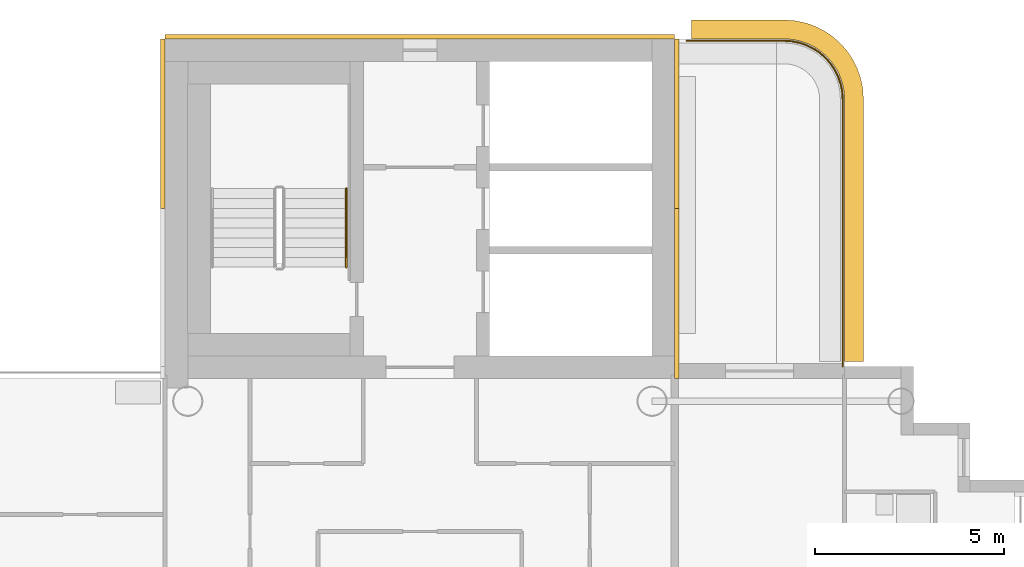
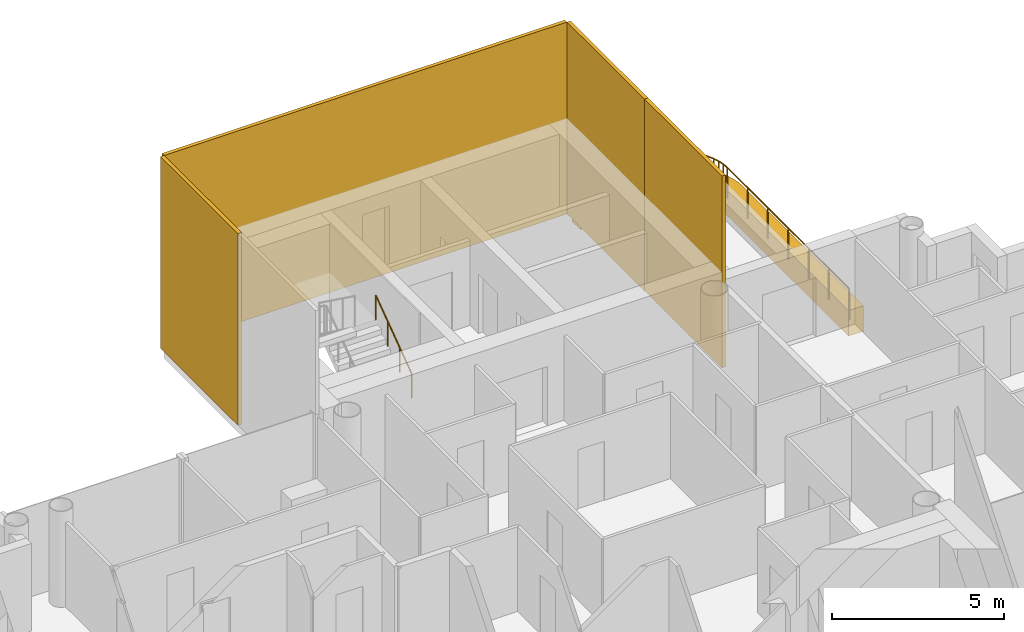
# One storey, part 17 of 18: 5 coverings, 2 railings.
"""IFC4 building model written with IfcOpenShell, lengths in metres."""

from ifc_helpers import new_model, si_unit, direction, frame, origin, origin_2d, place, context, subcontext, project, spatial, polyline, rectangle, circle, outline, extrude, material, layer, layer_set, type_object, element, save


model = new_model("IFC4")

# Units and contexts
model_context = context("Model", 3, precision=1e-05, world=origin(), true_north=direction((0.0, 1.0)))
body_context = subcontext(model_context, "Body", "Model", "MODEL_VIEW")
ifc_project = project(units=[si_unit("LENGTHUNIT", "METRE"), si_unit("AREAUNIT", "SQUARE_METRE"), si_unit("VOLUMEUNIT", "CUBIC_METRE"), si_unit("PLANEANGLEUNIT", "RADIAN"), si_unit("MASSUNIT", "GRAM", prefix="KILO")], contexts=[model_context])

# Site, building, storey
site_placement = place(None, origin())
site = spatial("IfcSite", under=ifc_project, at=site_placement, CompositionType="ELEMENT")
building_placement = place(site_placement, origin())
building = spatial("IfcBuilding", under=site, at=building_placement, Name="Ipe Terrace Towers", CompositionType="ELEMENT")
storey_placement = place(building_placement, frame((0.0, 0.0, 192.60009765625)))
storey = spatial("IfcBuildingStorey", under=building, at=storey_placement, Name="L53", CompositionType="ELEMENT", Elevation=192.60009765625)

# Railing
ifc_material_1 = material(Name="Stainless steel S316", Category="steel")
railing_type_1 = type_object("IfcRailingType", Name="GUARD 1100", PredefinedType="BALUSTRADE", material=ifc_material_1)
railing_1_placement = place(storey_placement, frame((47.199951171875, 7.070068359375, -0.02001953125)))
element("IfcRailing", 1, at=railing_1_placement, inside=storey, type_object=railing_type_1, Name="guard", PredefinedType="BALUSTRADE", context=body_context, shape_type="SweptSolid", body=[
    extrude(circle(Radius=0.02392578125, at=origin_2d()), frame((0.0, 0.0, 1.076171875), z_axis=(0.0, 1.0, 0.0), x_axis=(-1.0, 0.0, 0.0)), (0.0, 0.0, 1.0), 7.077880859375),
    extrude(circle(Radius=0.02392578125, at=origin_2d()), frame((0.0, 7.077880859375, 1.076171875), z_axis=(-0.063270109204, 0.997996439513, 0.0), x_axis=(-0.997996439513, -0.063270109204, 0.0)), (0.0, 0.0, 1.0), 0.20458984375),
    extrude(circle(Radius=0.02392578125, at=origin_2d()), frame((-0.012939453125, 7.281982421875, 1.076171875), z_axis=(-0.197272615832, 0.980348670139, 0.0), x_axis=(-0.980348670139, -0.197272615832, 0.0)), (0.0, 0.0, 1.0), 0.202880859375),
    extrude(circle(Radius=0.02392578125, at=origin_2d()), frame((-0.052978515625, 7.48095703125, 1.076171875), z_axis=(-0.320562904618, 0.947227229435, 0.0), x_axis=(-0.947227229435, -0.320562904618, 0.0)), (0.0, 0.0, 1.0), 0.20263671875),
    extrude(circle(Radius=0.02392578125, at=origin_2d()), frame((-0.117919921875, 7.6728515625, 1.076171875), z_axis=(-0.443364567466, 0.896341374877, 0.0), x_axis=(-0.896341374877, -0.443364567466, 0.0)), (0.0, 0.0, 1.0), 0.203125),
    extrude(circle(Radius=0.02392578125, at=origin_2d()), frame((-0.2080078125, 7.85498046875, 1.076171875), z_axis=(-0.552753344103, 0.833344910936, 0.0), x_axis=(-0.833344910936, -0.552753344103, 0.0)), (0.0, 0.0, 1.0), 0.20263671875),
    extrude(circle(Radius=0.02392578125, at=origin_2d()), frame((-0.320068359375, 8.02392578125, 1.076171875), z_axis=(-0.660464863827, 0.750856952854, 0.0), x_axis=(-0.750856952854, -0.660464863827, 0.0)), (0.0, 0.0, 1.0), 0.20263671875),
    extrude(circle(Radius=0.02392578125, at=origin_2d()), frame((-0.453857421875, 8.176025390625, 1.076171875), z_axis=(-0.750856952854, 0.660464863827, 0.0), x_axis=(-0.660464863827, -0.750856952854, 0.0)), (0.0, 0.0, 1.0), 0.20263671875),
    extrude(circle(Radius=0.02392578125, at=origin_2d()), frame((-0.60595703125, 8.309814453125, 1.076171875), z_axis=(-0.833344910936, 0.552753344103, 0.0), x_axis=(-0.552753344103, -0.833344910936, 0.0)), (0.0, 0.0, 1.0), 0.20263671875),
    extrude(circle(Radius=0.02392578125, at=origin_2d()), frame((-0.77490234375, 8.421875, 1.076171875), z_axis=(-0.896341374877, 0.443364567466, 0.0), x_axis=(-0.443364567466, -0.896341374877, 0.0)), (0.0, 0.0, 1.0), 0.203125),
    extrude(circle(Radius=0.02392578125, at=origin_2d()), frame((-0.95703125, 8.511962890625, 1.076171875), z_axis=(-0.947227229435, 0.320562904618, 0.0), x_axis=(-0.320562904618, -0.947227229435, 0.0)), (0.0, 0.0, 1.0), 0.20263671875),
    extrude(circle(Radius=0.02392578125, at=origin_2d()), frame((-1.14892578125, 8.576904296875, 1.076171875), z_axis=(-0.980348670139, 0.197272615832, 0.0), x_axis=(-0.197272615832, -0.980348670139, 0.0)), (0.0, 0.0, 1.0), 0.202880859375),
    extrude(circle(Radius=0.02392578125, at=origin_2d()), frame((-1.347900390625, 8.616943359375, 1.076171875), z_axis=(-0.997996439513, 0.063270109204, 0.0), x_axis=(-0.063270109204, -0.997996439513, 0.0)), (0.0, 0.0, 1.0), 0.20458984375),
    extrude(circle(Radius=0.02392578125, at=origin_2d()), frame((-1.552001953125, 8.6298828125, 1.076171875), z_axis=(-1.0, 0.0, 0.0), x_axis=(0.0, -1.0, 0.0)), (0.0, 0.0, 1.0), 2.577880859375),
    extrude(circle(Radius=0.02099609375, at=origin_2d()), origin(), (0.0, 0.0, 1.0), 1.052001953125),
    extrude(circle(Radius=0.02099609375, at=origin_2d()), frame((0.0, 1.1796875, 0.0)), (0.0, 0.0, 1.0), 1.052001953125),
    extrude(circle(Radius=0.02099609375, at=origin_2d()), frame((0.0, 2.359375, 0.0)), (0.0, 0.0, 1.0), 1.052001953125),
    extrude(circle(Radius=0.02099609375, at=origin_2d()), frame((0.0, 3.5390625, 0.0)), (0.0, 0.0, 1.0), 1.052001953125),
    extrude(circle(Radius=0.02099609375, at=origin_2d()), frame((0.0, 4.718505859375, 0.0)), (0.0, 0.0, 1.0), 1.052001953125),
    extrude(circle(Radius=0.02099609375, at=origin_2d()), frame((0.0, 5.898193359375, 0.0)), (0.0, 0.0, 1.0), 1.052001953125),
    extrude(circle(Radius=0.02099609375, at=origin_2d()), frame((0.0, 7.077880859375, 0.0)), (0.0, 0.0, 1.0), 1.052001953125),
    extrude(circle(Radius=0.02099609375, at=origin_2d()), frame((-0.012939453125, 7.281982421875, 0.0)), (0.0, 0.0, 1.0), 1.052001953125),
    extrude(circle(Radius=0.02099609375, at=origin_2d()), frame((-0.052978515625, 7.48095703125, 0.0)), (0.0, 0.0, 1.0), 1.052001953125),
    extrude(circle(Radius=0.02099609375, at=origin_2d()), frame((-0.117919921875, 7.6728515625, 0.0)), (0.0, 0.0, 1.0), 1.052001953125),
    extrude(circle(Radius=0.02099609375, at=origin_2d()), frame((-0.2080078125, 7.85498046875, 0.0)), (0.0, 0.0, 1.0), 1.052001953125),
    extrude(circle(Radius=0.02099609375, at=origin_2d()), frame((-0.320068359375, 8.02392578125, 0.0)), (0.0, 0.0, 1.0), 1.052001953125),
    extrude(circle(Radius=0.02099609375, at=origin_2d()), frame((-0.453857421875, 8.176025390625, 0.0)), (0.0, 0.0, 1.0), 1.052001953125),
    extrude(circle(Radius=0.02099609375, at=origin_2d()), frame((-0.60595703125, 8.309814453125, 0.0)), (0.0, 0.0, 1.0), 1.052001953125),
    extrude(circle(Radius=0.02099609375, at=origin_2d()), frame((-0.77490234375, 8.421875, 0.0)), (0.0, 0.0, 1.0), 1.052001953125),
    extrude(circle(Radius=0.02099609375, at=origin_2d()), frame((-0.95703125, 8.511962890625, 0.0)), (0.0, 0.0, 1.0), 1.052001953125),
    extrude(circle(Radius=0.02099609375, at=origin_2d()), frame((-1.14892578125, 8.576904296875, 0.0)), (0.0, 0.0, 1.0), 1.052001953125),
    extrude(circle(Radius=0.02099609375, at=origin_2d()), frame((-1.347900390625, 8.616943359375, 0.0)), (0.0, 0.0, 1.0), 1.052001953125),
    extrude(circle(Radius=0.02099609375, at=origin_2d()), frame((-1.552001953125, 8.6298828125, 0.0)), (0.0, 0.0, 1.0), 1.052001953125),
    extrude(circle(Radius=0.02099609375, at=origin_2d()), frame((-2.411376953125, 8.6298828125, 0.0)), (0.0, 0.0, 1.0), 1.052001953125),
    extrude(circle(Radius=0.02099609375, at=origin_2d()), frame((-3.2705078125, 8.6298828125, 0.0)), (0.0, 0.0, 1.0), 1.052001953125),
    extrude(circle(Radius=0.02099609375, at=origin_2d()), frame((-4.1298828125, 8.6298828125, 0.0)), (0.0, 0.0, 1.0), 1.052001953125),
])

# Coverings
ifc_material_2 = material(Name="Concrete C50/60 precast, buff finish", Category="concrete")
ifc_layer_1 = layer(ifc_material_2, 0.1201171875)
ifc_layer_set_1 = layer_set([ifc_layer_1], Name="STONE CORE CLADDING 120")
covering_type_1 = type_object("IfcCoveringType", Name="STONE CORE CLADDING 120", PredefinedType="CLADDING", material=ifc_layer_set_1)
for number, where, z_axis, x_axis, name in (
    (2, (29.18994140625, 13.5, 0.0), (0.0, 0.0, 1.0), (0.0, -1.0, 0.0), "stone core cladding"),
    (3, (42.81005859375, 9.0, 0.0), (0.0, 0.0, 1.0), (0.0, 1.0, 0.0), "stone core cladding"),
    (4, (42.81005859375, 13.5, 0.0), (0.0, 0.0, 1.0), (0.0, 1.0, 0.0), "stone core cladding"),
):
    element("IfcCovering", number, at=place(storey_placement, frame(where, z_axis=z_axis, x_axis=x_axis)), inside=storey, type_object=covering_type_1, Name=name, PredefinedType="CLADDING", context=body_context, shape_type="SweptSolid", body=[
        extrude(rectangle(XDim=4.5, YDim=0.1201171875, at=origin_2d()), origin(), (0.0, 0.0, 1.0), 6.800048828125),
    ])
covering_1_placement = place(storey_placement, frame((36.0, 15.81005859375, 0.0), z_axis=(0.0, 0.0, 1.0), x_axis=(-1.0, 0.0, 0.0)))
element("IfcCovering", 5, at=covering_1_placement, inside=storey, type_object=covering_type_1, Name="stone core cladding", PredefinedType="CLADDING", context=body_context, shape_type="SweptSolid", body=[
    extrude(rectangle(XDim=13.5, YDim=0.1201171875, at=origin_2d()), origin(), (0.0, 0.0, 1.0), 6.800048828125),
])
ifc_material_3 = material(Name="Concrete C50/60 precast, buff finish", Category="concrete")
ifc_layer_2 = layer(ifc_material_3, 0.5)
ifc_layer_set_2 = layer_set([ifc_layer_2], Name="STONE EDGE BAND 500 x 900")
covering_type_2 = type_object("IfcCoveringType", Name="STONE EDGE BAND 500 x 900", PredefinedType="CLADDING", material=ifc_layer_set_2)
covering_2_placement = place(storey_placement, frame((0.0, 0.0, -0.72021484375)))
element("IfcCovering", 6, at=covering_2_placement, inside=storey, type_object=covering_type_2, Name="stone edge band", PredefinedType="CLADDING", context=body_context, shape_type="SweptSolid", body=[
    extrude(outline(polyline([(47.75, 14.14990234375), (47.7490234375, 14.18310546875), (47.735107421875, 14.39208984375), (47.72705078125, 14.4560546875), (47.68603515625, 14.662109375), (47.6689453125, 14.72509765625), (47.60205078125, 14.923095703125), (47.576904296875, 14.98291015625), (47.48388671875, 15.1708984375), (47.450927734375, 15.22802734375), (47.3349609375, 15.402099609375), (47.294921875, 15.4541015625), (47.156982421875, 15.611083984375), (47.111083984375, 15.656982421875), (46.9541015625, 15.794921875), (46.902099609375, 15.8349609375), (46.72802734375, 15.950927734375), (46.6708984375, 15.98388671875), (46.48291015625, 16.076904296875), (46.423095703125, 16.10205078125), (46.22509765625, 16.1689453125), (46.162109375, 16.18603515625), (45.9560546875, 16.22705078125), (45.89208984375, 16.235107421875), (45.68310546875, 16.2490234375), (45.64990234375, 16.25), (43.199951171875, 16.25), (43.199951171875, 15.75), (45.64990234375, 15.75), (45.85888671875, 15.736083984375), (46.06396484375, 15.695068359375), (46.261962890625, 15.6279296875), (46.449951171875, 15.535888671875), (46.6240234375, 15.4189453125), (46.781005859375, 15.281005859375), (46.9189453125, 15.1240234375), (47.035888671875, 14.949951171875), (47.1279296875, 14.761962890625), (47.195068359375, 14.56396484375), (47.236083984375, 14.35888671875), (47.25, 14.14990234375), (47.25, 7.199951171875), (47.75, 7.199951171875), (47.75, 14.14990234375)])), origin(), (0.0, 0.0, 1.0), 0.900146484375),
])

# Railing
ifc_material_4 = material(Name="Stainless steel grade 304", Category="steel")
railing_type_2 = type_object("IfcRailingType", Name="Stair handrail 900", PredefinedType="HANDRAIL", material=ifc_material_4)
railing_2_placement = place(storey_placement, frame((34.050048828125, 9.699951171875, 0.188720703125)))
element("IfcRailing", 7, at=railing_2_placement, inside=storey, type_object=railing_type_2, Name="L53 T2-ST1 stair handrail 1", PredefinedType="HANDRAIL", context=body_context, shape_type="SweptSolid", body=[
    extrude(circle(Radius=0.02392578125, at=origin_2d()), frame((0.0, 0.0, 0.8759765625), z_axis=(0.0, 0.809023421508, 0.587776406001), x_axis=(-1.0, 0.0, 0.0)), (0.0, 0.0, 1.0), 2.571044921875),
    extrude(circle(Radius=0.02099609375, at=origin_2d()), origin(), (0.0, 0.0, 1.0), 0.851806640625),
    extrude(circle(Radius=0.02099609375, at=origin_2d()), frame((0.0, 0.693359375, 0.503662109375)), (0.0, 0.0, 1.0), 0.851806640625),
    extrude(circle(Radius=0.02099609375, at=origin_2d()), frame((0.0, 1.38671875, 1.007568359375)), (0.0, 0.0, 1.0), 0.851806640625),
    extrude(circle(Radius=0.02099609375, at=origin_2d()), frame((0.0, 2.080078125, 1.51123046875)), (0.0, 0.0, 1.0), 0.851806640625),
])

save(model, "model.ifc")
